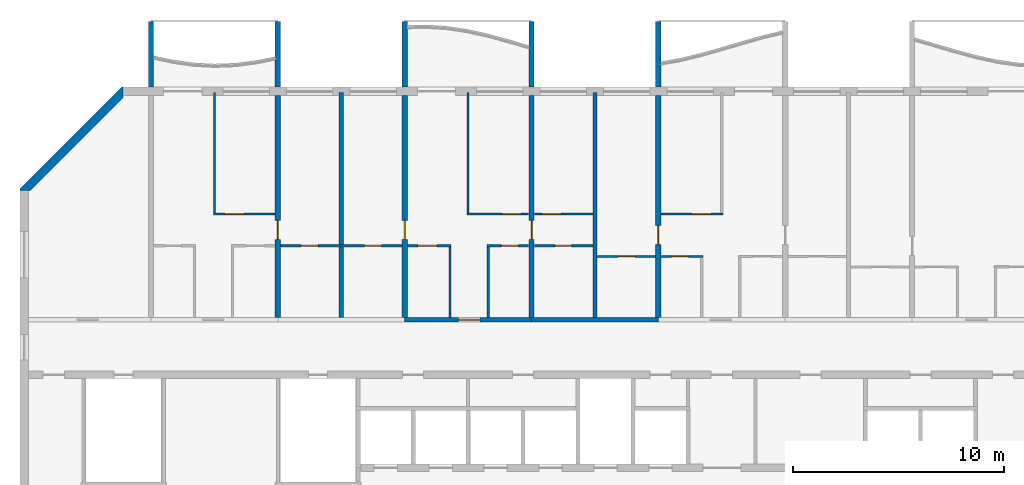
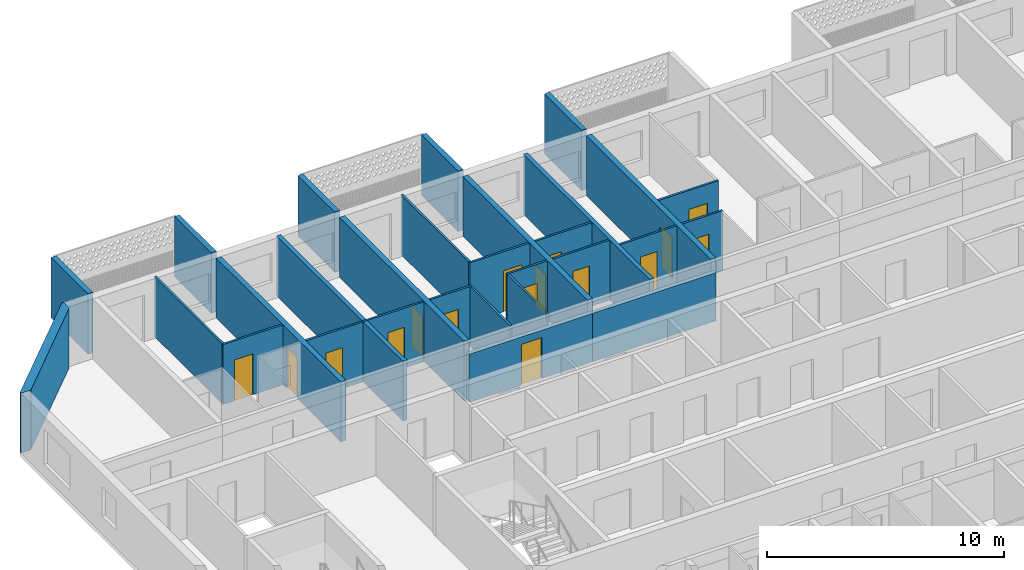
# One storey, part 8 of 26: 28 walls, 16 doors, 16 openings.
"""IFC4 building model written with IfcOpenShell, lengths in metres."""

import ifcopenshell
import ifcopenshell.guid

model = None  # the IFC model being written
_history = None  # IfcOwnerHistory: only IFC2X3 demands one
_inside = {}  # id of a spatial element -> (the spatial element, [elements in it])
_under = {}  # id of a project, library or spatial element -> (it, [spatial elements below it])
_declared = {}  # id of a project -> (the project, [libraries it declares])
_typed = {}  # id of a type object -> (the type object, [elements of that type])
_made_of = {}  # id of a material, layer set ... -> (it, [elements and type objects made of it])


def new_model(schema):
    """Start an empty IFC model of exactly this schema.

    Asked for "IFC4X3", IfcOpenShell would pick the latest addendum, in which some entities
    have other attributes; the version numbers below select the first issue.
    IFC2X3 requires an IfcOwnerHistory on every rooted entity: one is made here for all.
    """
    global model, _history
    if schema == "IFC4X3":
        model = ifcopenshell.file(schema_version=(4, 3, 0, 0))
    else:
        model = ifcopenshell.file(schema=schema)
    _inside.clear()
    _under.clear()
    _declared.clear()
    _typed.clear()
    _made_of.clear()
    _history = None
    if model.schema == "IFC2X3":
        org = make("IfcOrganization", Name="unknown")
        user = make(
            "IfcPersonAndOrganization",
            ThePerson=make("IfcPerson", FamilyName="unknown"),
            TheOrganization=org,
        )
        app = make(
            "IfcApplication",
            ApplicationDeveloper=org,
            Version="unknown",
            ApplicationFullName="unknown",
            ApplicationIdentifier="unknown",
        )
        _history = make(
            "IfcOwnerHistory",
            OwningUser=user,
            OwningApplication=app,
            ChangeAction="ADDED",
            CreationDate=0,
        )
    return model


def make(cls, **values):
    """One entity of the class cls with the attributes given. An attribute that is None is left unset."""
    return model.create_entity(
        cls, **{name: value for name, value in values.items() if value is not None}
    )


def rooted(cls, **values):
    """An entity with a GlobalId (a new one), such as an element, a storey or a relation."""
    return make(cls, GlobalId=ifcopenshell.guid.new(), OwnerHistory=_history, **values)


def si_unit(unit_type, name, prefix=None):
    """IfcSIUnit, for example si_unit("LENGTHUNIT", "METRE", prefix="MILLI")."""
    return make("IfcSIUnit", UnitType=unit_type, Prefix=prefix, Name=name)


def assignment(units):
    """IfcUnitAssignment: the units of a project."""
    return None if units is None else make("IfcUnitAssignment", Units=units)


def point(xyz):
    """IfcCartesianPoint."""
    return None if xyz is None else make("IfcCartesianPoint", Coordinates=xyz)


def direction(xyz):
    """IfcDirection."""
    return None if xyz is None else make("IfcDirection", DirectionRatios=xyz)


def frame(location, z_axis=None, x_axis=None):
    """IfcAxis2Placement3D, a coordinate frame: its origin and axes. An axis left out is left unset."""
    return make(
        "IfcAxis2Placement3D",
        Location=point(location),
        Axis=direction(z_axis),
        RefDirection=direction(x_axis),
    )


def frame_2d(location, x_axis=None):
    """IfcAxis2Placement2D, a coordinate frame in the plane: its origin and x axis."""
    return make(
        "IfcAxis2Placement2D", Location=point(location), RefDirection=direction(x_axis)
    )


def origin():
    """The frame at (0, 0, 0) with its axes left unset."""
    return frame((0.0, 0.0, 0.0))


def place(relative_to, where):
    """IfcLocalPlacement: puts the frame where relative to a parent placement (None: the world)."""
    return make(
        "IfcLocalPlacement", PlacementRelTo=relative_to, RelativePlacement=where
    )


def context(
    kind, dimensions, precision=None, world=None, true_north=None, identifier=None
):
    """IfcGeometricRepresentationContext, for example the 3D "Model" context."""
    return make(
        "IfcGeometricRepresentationContext",
        ContextIdentifier=identifier,
        ContextType=kind,
        CoordinateSpaceDimension=dimensions,
        Precision=precision,
        WorldCoordinateSystem=world,
        TrueNorth=true_north,
    )


def subcontext(parent, identifier, kind, view, scale=None):
    """IfcGeometricRepresentationSubContext, for example "Body" below "Model"."""
    return make(
        "IfcGeometricRepresentationSubContext",
        ContextIdentifier=identifier,
        ContextType=kind,
        ParentContext=parent,
        TargetScale=scale,
        TargetView=view,
    )


def project(units=None, contexts=None):
    """IfcProject with its units and contexts."""
    return rooted(
        "IfcProject",
        Name="project",
        RepresentationContexts=contexts,
        UnitsInContext=assignment(units),
    )


def spatial(cls, under=None, at=None, **own):
    """A site, building, storey or space (cls), placed at a placement, below another one or the project."""
    s = rooted(cls, ObjectPlacement=at, **own)
    if under is not None:
        _under.setdefault(under.id(), (under, []))[1].append(s)
    return s


def polyline(points):
    """IfcPolyline through the points."""
    return make("IfcPolyline", Points=[point(p) for p in points])


def profile(cls, at=None, kind="AREA", **sizes):
    """A parametric profile (cls). Its sizes go by their IFC names, for example OverallWidth=200.0."""
    return make(cls, ProfileType=kind, Position=at, **sizes)


def rectangle(**sizes):
    """IfcRectangleProfileDef."""
    return profile("IfcRectangleProfileDef", **sizes)


def outline(outer, holes=None, kind="AREA"):
    """IfcArbitraryClosedProfileDef: a profile drawn as a closed curve; with holes, ...WithVoids."""
    if holes is None:
        return make("IfcArbitraryClosedProfileDef", ProfileType=kind, OuterCurve=outer)
    return make(
        "IfcArbitraryProfileDefWithVoids",
        ProfileType=kind,
        OuterCurve=outer,
        InnerCurves=holes,
    )


def extrude(swept, where, along, depth):
    """IfcExtrudedAreaSolid: the profile swept, set in the frame where, extruded along a direction by depth."""
    return make(
        "IfcExtrudedAreaSolid",
        SweptArea=swept,
        Position=where,
        ExtrudedDirection=direction(along),
        Depth=depth,
    )


def shape(context_of_items, identifier, shape_type, items):
    """IfcShapeRepresentation: the items that make up one representation, for example the "Body"."""
    return make(
        "IfcShapeRepresentation",
        ContextOfItems=context_of_items,
        RepresentationIdentifier=identifier,
        RepresentationType=shape_type,
        Items=items,
    )


def source(mapping_origin, context_of_items, identifier, shape_type, items):
    """IfcRepresentationMap: a shape defined once, which mapped items show again and again."""
    return make(
        "IfcRepresentationMap",
        MappingOrigin=mapping_origin,
        MappedRepresentation=shape(context_of_items, identifier, shape_type, items),
    )


def transform(
    local_origin,
    x_axis=None,
    y_axis=None,
    z_axis=None,
    scale=None,
    scale2=None,
    scale3=None,
    uniform=True,
):
    """IfcCartesianTransformationOperator3D, or its non-uniform kind. x_axis, y_axis, z_axis: its Axis1, 2, 3."""
    if uniform:
        return make(
            "IfcCartesianTransformationOperator3D",
            Axis1=direction(x_axis),
            Axis2=direction(y_axis),
            LocalOrigin=point(local_origin),
            Scale=scale,
            Axis3=direction(z_axis),
        )
    return make(
        "IfcCartesianTransformationOperator3DnonUniform",
        Axis1=direction(x_axis),
        Axis2=direction(y_axis),
        LocalOrigin=point(local_origin),
        Scale=scale,
        Axis3=direction(z_axis),
        Scale2=scale2,
        Scale3=scale3,
    )


def mapped(mapping_source, mapping_target):
    """IfcMappedItem: shows the shape of a source again, moved by a transform."""
    return make(
        "IfcMappedItem", MappingSource=mapping_source, MappingTarget=mapping_target
    )


def material(Name=None, Category=None):
    """IfcMaterial."""
    return make("IfcMaterial", Name=Name, Category=Category)


def layer(
    of_material, thickness, ventilated=None, Name=None, Category=None, Priority=None
):
    """IfcMaterialLayer: one layer of a wall or slab, of a material (None: an air gap)."""
    return make(
        "IfcMaterialLayer",
        Material=of_material,
        LayerThickness=thickness,
        IsVentilated=ventilated,
        Name=Name,
        Category=Category,
        Priority=Priority,
    )


def layer_set(layers, Name=None):
    """IfcMaterialLayerSet."""
    return make("IfcMaterialLayerSet", MaterialLayers=layers, LayerSetName=Name)


def made_of(thing, what):
    """Note that an element or type object is made of a material, layer set ...; save() writes the relation."""
    if what is not None:
        _made_of.setdefault(what.id(), (what, []))[1].append(thing)
    return thing


def type_object(cls, material=None, **own):
    """A type object (cls), such as IfcWallType, which elements share."""
    return made_of(rooted(cls, **own), material)


def element(
    cls,
    number,
    at=None,
    inside=None,
    cuts=None,
    type_object=None,
    material=None,
    context=None,
    identifier="Body",
    shape_type=None,
    held_by="IfcProductDefinitionShape",
    body=None,
    shapes=None,
    **own,
):
    """One element of the class cls, such as IfcWall. Its Tag is "e" and its number.

    at: its placement. inside: the storey or other place that contains it. cuts: it is an
    opening in that element (IfcRelVoidsElement). A single representation is given by context,
    identifier, shape_type and body (its items); several are given by shapes. held_by: the class
    of the entity that holds the representations. save() writes the other relations.
    """
    e = rooted(cls, Tag="e%d" % number, ObjectPlacement=at, **own)
    if body is not None:
        shapes = [shape(context, identifier, shape_type, body)]
    if shapes is not None:
        e.Representation = make(held_by, Representations=shapes)
    if inside is not None:
        _inside.setdefault(inside.id(), (inside, []))[1].append(e)
    if cuts is not None:
        rooted(
            "IfcRelVoidsElement", RelatingBuildingElement=cuts, RelatedOpeningElement=e
        )
    if type_object is not None:
        _typed.setdefault(type_object.id(), (type_object, []))[1].append(e)
    return made_of(e, material)


def fill(opening, filler):
    """IfcRelFillsElement: the door or window that sits in an opening."""
    return rooted(
        "IfcRelFillsElement",
        RelatingOpeningElement=opening,
        RelatedBuildingElement=filler,
    )


def aggregate(whole, parts):
    """IfcRelAggregates: a whole, such as a stair, and the parts it consists of."""
    return rooted("IfcRelAggregates", RelatingObject=whole, RelatedObjects=parts)


def save(model, path):
    """Write the relations noted so far, then the file.

    IfcRelAggregates (storeys below a building ...), IfcRelContainedInSpatialStructure (elements
    in a storey), IfcRelDefinesByType, IfcRelAssociatesMaterial and IfcRelDeclares: one each for
    every whole, place, type object, material and project.
    """
    for whole, parts in _under.values():
        aggregate(whole, parts)
    for where, things in _inside.values():
        rooted(
            "IfcRelContainedInSpatialStructure",
            RelatedElements=things,
            RelatingStructure=where,
        )
    for kind, things in _typed.values():
        rooted("IfcRelDefinesByType", RelatedObjects=things, RelatingType=kind)
    for what, things in _made_of.values():
        rooted("IfcRelAssociatesMaterial", RelatedObjects=things, RelatingMaterial=what)
    for by, libraries in _declared.values():
        rooted("IfcRelDeclares", RelatingContext=by, RelatedDefinitions=libraries)
    model.write(path)


model = new_model("IFC4")

# Units and contexts
model_context = context("Model", 3, precision=1e-05, world=origin(), true_north=direction((0.0, 1.0)))
body_context = subcontext(model_context, "Body", "Model", "MODEL_VIEW")
ifc_project = project(units=[si_unit("LENGTHUNIT", "METRE"), si_unit("AREAUNIT", "SQUARE_METRE"), si_unit("VOLUMEUNIT", "CUBIC_METRE"), si_unit("PLANEANGLEUNIT", "RADIAN"), si_unit("MASSUNIT", "GRAM", prefix="KILO")], contexts=[model_context])

# Site, building, storey
site_placement = place(None, origin())
site = spatial("IfcSite", under=ifc_project, at=site_placement, CompositionType="ELEMENT")
building_placement = place(site_placement, origin())
building = spatial("IfcBuilding", under=site, at=building_placement, Name="Poui Terraces", CompositionType="ELEMENT")
storey_placement = place(building_placement, frame((0.0, 0.0, 244.5)))
storey = spatial("IfcBuildingStorey", under=building, at=storey_placement, Name="L68", CompositionType="ELEMENT", Elevation=244.5)

# Wall, opening, door
ifc_material_1 = material(Name="Concrete 50 MPa", Category="concrete")
ifc_layer_1 = layer(ifc_material_1, 0.199951171875)
ifc_layer_set_1 = layer_set([ifc_layer_1], Name="Concrete 50 MPa")
wall_type_1 = type_object("IfcWallType", Name="CORRIDOR WALL 200 50MPa", PredefinedType="SHEAR", material=ifc_layer_set_1)
wall_1_placement = place(storey_placement, frame((36.0, 30.39990234375, 0.0), z_axis=(0.0, 0.0, 1.0), x_axis=(1.0, 0.0, 0.0)))
wall_1 = element("IfcWall", 1, at=wall_1_placement, inside=storey, type_object=wall_type_1, Name="CORRIDOR WALL LINE E BAY 4", PredefinedType="SHEAR", context=body_context, shape_type="SweptSolid", body=[
    extrude(rectangle(XDim=6.0, YDim=0.199951171875, at=frame_2d((3.0, 0.0))), origin(), (0.0, 0.0, 1.0), 2.47998046875),
])
opening_1_placement = place(wall_1_placement, frame((2.550048828125, 0.0, 0.0)))
opening_1 = element("IfcOpeningElement", 2, at=opening_1_placement, cuts=wall_1, Name="Opening FD30S", PredefinedType="OPENING", context=body_context, shape_type="SweptSolid", body=[
    extrude(rectangle(XDim=1.0, YDim=2.10009765625, at=frame_2d((0.5, 1.050048828125))), frame((0.0, 0.10986328125, 0.0), z_axis=(0.0, -1.0, 0.0), x_axis=(1.0, 0.0, 0.0)), (0.0, 0.0, 1.0), 0.219970703125),
])
ifc_material_2 = material(Name="Steel fire door", Category="steel")
door_type_1 = type_object("IfcDoorType", Name="FLAT ENTRANCE DOOR 1000 X 2100", OperationType="NOTDEFINED", PredefinedType="DOOR", material=ifc_material_2)
door_1_placement = place(opening_1_placement, origin())
door_1 = element("IfcDoor", 3, at=door_1_placement, inside=storey, type_object=door_type_1, Name="FLAT ENTRANCE DOOR 037", OperationType="SINGLE_SWING_RIGHT", OverallHeight=2.10009765625, OverallWidth=1.0, PredefinedType="DOOR", context=body_context, shape_type="SweptSolid", body=[
    extrude(rectangle(XDim=1.0, YDim=2.10009765625, at=frame_2d((0.5, 1.050048828125))), frame((0.0, 0.02490234375, 0.0), z_axis=(0.0, -1.0, 0.0), x_axis=(1.0, 0.0, 0.0)), (0.0, 0.0, 1.0), 0.050048828125),
])
fill(opening_1, door_1)

# Wall
wall_2_placement = place(storey_placement, frame((42.0, 30.39990234375, 0.0), z_axis=(0.0, 0.0, 1.0), x_axis=(1.0, 0.0, 0.0)))
element("IfcWall", 4, at=wall_2_placement, inside=storey, type_object=wall_type_1, Name="CORRIDOR WALL LINE E BAY 5", PredefinedType="SHEAR", context=body_context, shape_type="SweptSolid", body=[
    extrude(rectangle(XDim=6.0, YDim=0.199951171875, at=frame_2d((3.0, 0.0))), origin(), (0.0, 0.0, 1.0), 2.47998046875),
])

# Wall, opening, door
ifc_layer_2 = layer(ifc_material_1, 0.25)
ifc_layer_set_2 = layer_set([ifc_layer_2], Name="Concrete 50 MPa")
wall_type_2 = type_object("IfcWallType", Name="CROSS WALL 250 50MPa", PredefinedType="SHEAR", material=ifc_layer_set_2)
wall_3_placement = place(storey_placement, frame((30.0, 30.5, 0.0), z_axis=(0.0, 0.0, 1.0), x_axis=(0.0, 1.0, 0.0)))
wall_3 = element("IfcWall", 5, at=wall_3_placement, inside=storey, type_object=wall_type_2, Name="CROSS WALL LINE 6 NORTH", PredefinedType="SHEAR", context=body_context, shape_type="SweptSolid", body=[
    extrude(rectangle(XDim=10.5, YDim=0.25, at=frame_2d((5.25, 0.0))), origin(), (0.0, 0.0, 1.0), 3.080078125),
])
opening_2_placement = place(wall_3_placement, frame((3.699951171875, 0.0, 0.0)))
opening_2 = element("IfcOpeningElement", 6, at=opening_2_placement, cuts=wall_3, Name="Opening D90", PredefinedType="OPENING", context=body_context, shape_type="SweptSolid", body=[
    extrude(rectangle(XDim=0.89990234375, YDim=2.10009765625, at=frame_2d((0.449951171875, 1.050048828125))), frame((0.0, 0.135009765625, 0.0), z_axis=(0.0, -1.0, 0.0), x_axis=(1.0, 0.0, 0.0)), (0.0, 0.0, 1.0), 0.27001953125),
])
ifc_material_3 = material(Name="Solid core timber door", Category="wood")
door_type_2 = type_object("IfcDoorType", Name="INTERNAL DOOR 900 X 2100", OperationType="NOTDEFINED", PredefinedType="DOOR", material=ifc_material_3)
door_2_placement = place(opening_2_placement, frame((0.89990234375, 0.0, 0.0), z_axis=(0.0, 0.0, 1.0), x_axis=(-1.0, 0.0, 0.0)))
door_2 = element("IfcDoor", 7, at=door_2_placement, inside=storey, type_object=door_type_2, Name="INTERNAL DOOR 031", OperationType="SINGLE_SWING_RIGHT", OverallHeight=2.10009765625, OverallWidth=0.89990234375, PredefinedType="DOOR", context=body_context, shape_type="SweptSolid", body=[
    extrude(rectangle(XDim=0.89990234375, YDim=2.10009765625, at=frame_2d((0.449951171875, 1.050048828125))), frame((0.0, 0.02490234375, 0.0), z_axis=(0.0, -1.0, 0.0), x_axis=(1.0, 0.0, 0.0)), (0.0, 0.0, 1.0), 0.050048828125),
])
fill(opening_2, door_2)

wall_4_placement = place(storey_placement, frame((36.0, 30.5, 0.0), z_axis=(0.0, 0.0, 1.0), x_axis=(0.0, 1.0, 0.0)))
wall_4 = element("IfcWall", 8, at=wall_4_placement, inside=storey, type_object=wall_type_2, Name="CROSS WALL LINE 7 NORTH", PredefinedType="SHEAR", context=body_context, shape_type="SweptSolid", body=[
    extrude(rectangle(XDim=10.5, YDim=0.25, at=frame_2d((5.25, 0.0))), origin(), (0.0, 0.0, 1.0), 3.080078125),
])
opening_3_placement = place(wall_4_placement, frame((3.699951171875, 0.0, 0.0)))
opening_3 = element("IfcOpeningElement", 9, at=opening_3_placement, cuts=wall_4, Name="Opening D90", PredefinedType="OPENING", context=body_context, shape_type="SweptSolid", body=[
    extrude(rectangle(XDim=0.89990234375, YDim=2.10009765625, at=frame_2d((0.449951171875, 1.050048828125))), frame((0.0, 0.135009765625, 0.0), z_axis=(0.0, -1.0, 0.0), x_axis=(1.0, 0.0, 0.0)), (0.0, 0.0, 1.0), 0.27001953125),
])
door_3_placement = place(opening_3_placement, origin())
door_3 = element("IfcDoor", 10, at=door_3_placement, inside=storey, type_object=door_type_2, Name="INTERNAL DOOR 035", OperationType="SINGLE_SWING_LEFT", OverallHeight=2.10009765625, OverallWidth=0.89990234375, PredefinedType="DOOR", context=body_context, shape_type="SweptSolid", body=[
    extrude(rectangle(XDim=0.89990234375, YDim=2.10009765625, at=frame_2d((0.449951171875, 1.050048828125))), frame((0.0, 0.02490234375, 0.0), z_axis=(0.0, -1.0, 0.0), x_axis=(1.0, 0.0, 0.0)), (0.0, 0.0, 1.0), 0.050048828125),
])
fill(opening_3, door_3)

wall_5_placement = place(storey_placement, frame((42.0, 30.5, 0.0), z_axis=(0.0, 0.0, 1.0), x_axis=(0.0, 1.0, 0.0)))
wall_5 = element("IfcWall", 11, at=wall_5_placement, inside=storey, type_object=wall_type_2, Name="CROSS WALL LINE 8 NORTH", PredefinedType="SHEAR", context=body_context, shape_type="SweptSolid", body=[
    extrude(rectangle(XDim=10.5, YDim=0.25, at=frame_2d((5.25, 0.0))), origin(), (0.0, 0.0, 1.0), 3.080078125),
])
opening_4_placement = place(wall_5_placement, frame((3.699951171875, 0.0, 0.0)))
opening_4 = element("IfcOpeningElement", 12, at=opening_4_placement, cuts=wall_5, Name="Opening D90", PredefinedType="OPENING", context=body_context, shape_type="SweptSolid", body=[
    extrude(rectangle(XDim=0.89990234375, YDim=2.10009765625, at=frame_2d((0.449951171875, 1.050048828125))), frame((0.0, 0.135009765625, 0.0), z_axis=(0.0, -1.0, 0.0), x_axis=(1.0, 0.0, 0.0)), (0.0, 0.0, 1.0), 0.27001953125),
])
door_4_placement = place(opening_4_placement, origin())
door_4 = element("IfcDoor", 13, at=door_4_placement, inside=storey, type_object=door_type_2, Name="INTERNAL DOOR 040", OperationType="SINGLE_SWING_LEFT", OverallHeight=2.10009765625, OverallWidth=0.89990234375, PredefinedType="DOOR", context=body_context, shape_type="SweptSolid", body=[
    extrude(rectangle(XDim=0.89990234375, YDim=2.10009765625, at=frame_2d((0.449951171875, 1.050048828125))), frame((0.0, 0.02490234375, 0.0), z_axis=(0.0, -1.0, 0.0), x_axis=(1.0, 0.0, 0.0)), (0.0, 0.0, 1.0), 0.050048828125),
])
fill(opening_4, door_4)

wall_6_placement = place(storey_placement, frame((48.0, 30.5, 0.0), z_axis=(0.0, 0.0, 1.0), x_axis=(0.0, 1.0, 0.0)))
wall_6 = element("IfcWall", 14, at=wall_6_placement, inside=storey, type_object=wall_type_2, Name="CROSS WALL LINE 9 NORTH", PredefinedType="SHEAR", context=body_context, shape_type="SweptSolid", body=[
    extrude(rectangle(XDim=10.5, YDim=0.25, at=frame_2d((5.25, 0.0))), origin(), (0.0, 0.0, 1.0), 3.080078125),
])
opening_5_placement = place(wall_6_placement, frame((3.449951171875, 0.0, 0.0)))
opening_5 = element("IfcOpeningElement", 15, at=opening_5_placement, cuts=wall_6, Name="Opening D90", PredefinedType="OPENING", context=body_context, shape_type="SweptSolid", body=[
    extrude(rectangle(XDim=0.89990234375, YDim=2.10009765625, at=frame_2d((0.449951171875, 1.050048828125))), frame((0.0, 0.135009765625, 0.0), z_axis=(0.0, -1.0, 0.0), x_axis=(1.0, 0.0, 0.0)), (0.0, 0.0, 1.0), 0.27001953125),
])
door_5_placement = place(opening_5_placement, origin())
door_5 = element("IfcDoor", 16, at=door_5_placement, inside=storey, type_object=door_type_2, Name="INTERNAL DOOR 043", OperationType="SINGLE_SWING_LEFT", OverallHeight=2.10009765625, OverallWidth=0.89990234375, PredefinedType="DOOR", context=body_context, shape_type="SweptSolid", body=[
    extrude(rectangle(XDim=0.89990234375, YDim=2.10009765625, at=frame_2d((0.449951171875, 1.050048828125))), frame((0.0, 0.02490234375, 0.0), z_axis=(0.0, -1.0, 0.0), x_axis=(1.0, 0.0, 0.0)), (0.0, 0.0, 1.0), 0.050048828125),
])
fill(opening_5, door_5)

ifc_material_4 = material(Name="Plasterboard partition")
ifc_layer_3 = layer(ifc_material_4, 0.10009765625)
ifc_layer_set_3 = layer_set([ifc_layer_3], Name="Plasterboard partition")
wall_type_3 = type_object("IfcWallType", Name="FLAT PARTITION 100", PredefinedType="PARTITIONING", material=ifc_layer_set_3)
wall_7_placement = place(storey_placement, frame((45.10009765625, 33.39990234375, 0.0), z_axis=(0.0, 0.0, 1.0), x_axis=(1.0, 0.0, 0.0)))
wall_7 = element("IfcWall", 17, at=wall_7_placement, inside=storey, type_object=wall_type_3, Name="FLAT PARTITION 100", PredefinedType="PARTITIONING", context=body_context, shape_type="SweptSolid", body=[
    extrude(rectangle(XDim=2.764892578125, YDim=0.10009765625, at=frame_2d((1.38232421875, 0.0))), origin(), (0.0, 0.0, 1.0), 3.080078125),
])
opening_6_placement = place(wall_7_placement, frame((1.0, 0.0, 0.0)))
opening_6 = element("IfcOpeningElement", 18, at=opening_6_placement, cuts=wall_7, Name="Opening D80", PredefinedType="OPENING", context=body_context, shape_type="SweptSolid", body=[
    extrude(rectangle(XDim=0.800048828125, YDim=2.10009765625, at=frame_2d((0.39990234375, 1.050048828125))), frame((0.0, 0.06005859375, 0.0), z_axis=(0.0, -1.0, 0.0), x_axis=(1.0, 0.0, 0.0)), (0.0, 0.0, 1.0), 0.1201171875),
])
door_type_3 = type_object("IfcDoorType", Name="BATHROOM, LAUNDRY AND STORE DOOR 800 X 2100", OperationType="NOTDEFINED", PredefinedType="DOOR", material=ifc_material_3)
door_6_placement = place(opening_6_placement, frame((0.800048828125, 0.0, 0.0), z_axis=(0.0, 0.0, 1.0), x_axis=(-1.0, 0.0, 0.0)))
door_6 = element("IfcDoor", 19, at=door_6_placement, inside=storey, type_object=door_type_3, Name="BATHROOM, LAUNDRY AND STORE DOOR 041", OperationType="SINGLE_SWING_LEFT", OverallHeight=2.10009765625, OverallWidth=0.800048828125, PredefinedType="DOOR", context=body_context, shape_type="SweptSolid", body=[
    extrude(rectangle(XDim=0.800048828125, YDim=2.10009765625, at=frame_2d((0.39990234375, 1.050048828125))), frame((0.0, 0.02490234375, 0.0), z_axis=(0.0, -1.0, 0.0), x_axis=(1.0, 0.0, 0.0)), (0.0, 0.0, 1.0), 0.050048828125),
])
fill(opening_6, door_6)

wall_8_placement = place(storey_placement, frame((48.135009765625, 33.39990234375, 0.0), z_axis=(0.0, 0.0, 1.0), x_axis=(1.0, 0.0, 0.0)))
wall_8 = element("IfcWall", 20, at=wall_8_placement, inside=storey, type_object=wall_type_3, Name="FLAT PARTITION 100", PredefinedType="PARTITIONING", context=body_context, shape_type="SweptSolid", body=[
    extrude(rectangle(XDim=1.965087890625, YDim=0.10009765625, at=frame_2d((0.982421875, 0.0))), origin(), (0.0, 0.0, 1.0), 3.080078125),
])
opening_7_placement = place(wall_8_placement, frame((0.489990234375, 0.0, 0.0)))
opening_7 = element("IfcOpeningElement", 21, at=opening_7_placement, cuts=wall_8, Name="Opening D80", PredefinedType="OPENING", context=body_context, shape_type="SweptSolid", body=[
    extrude(rectangle(XDim=0.800048828125, YDim=2.10009765625, at=frame_2d((0.39990234375, 1.050048828125))), frame((0.0, 0.06005859375, 0.0), z_axis=(0.0, -1.0, 0.0), x_axis=(1.0, 0.0, 0.0)), (0.0, 0.0, 1.0), 0.1201171875),
])
door_7_placement = place(opening_7_placement, frame((0.800048828125, 0.0, 0.0), z_axis=(0.0, 0.0, 1.0), x_axis=(-1.0, 0.0, 0.0)))
door_7 = element("IfcDoor", 22, at=door_7_placement, inside=storey, type_object=door_type_3, Name="BATHROOM, LAUNDRY AND STORE DOOR 044", OperationType="SINGLE_SWING_LEFT", OverallHeight=2.10009765625, OverallWidth=0.800048828125, PredefinedType="DOOR", context=body_context, shape_type="SweptSolid", body=[
    extrude(rectangle(XDim=0.800048828125, YDim=2.10009765625, at=frame_2d((0.39990234375, 1.050048828125))), frame((0.0, 0.02490234375, 0.0), z_axis=(0.0, -1.0, 0.0), x_axis=(1.0, 0.0, 0.0)), (0.0, 0.0, 1.0), 0.050048828125),
])
fill(opening_7, door_7)

# Wall, openings, doors
wall_9_placement = place(storey_placement, frame((30.135009765625, 33.89990234375, 0.0), z_axis=(0.0, 0.0, 1.0), x_axis=(1.0, 0.0, 0.0)))
wall_9 = element("IfcWall", 23, at=wall_9_placement, inside=storey, type_object=wall_type_3, Name="FLAT PARTITION 100", PredefinedType="PARTITIONING", context=body_context, shape_type="SweptSolid", body=[
    extrude(rectangle(XDim=5.72998046875, YDim=0.10009765625, at=frame_2d((2.864990234375, 0.0))), origin(), (0.0, 0.0, 1.0), 3.080078125),
])
opening_8_placement = place(wall_9_placement, frame((0.965087890625, 0.0, 0.0)))
opening_8 = element("IfcOpeningElement", 24, at=opening_8_placement, cuts=wall_9, Name="Opening D80", PredefinedType="OPENING", context=body_context, shape_type="SweptSolid", body=[
    extrude(rectangle(XDim=0.800048828125, YDim=2.10009765625, at=frame_2d((0.39990234375, 1.050048828125))), frame((0.0, 0.06005859375, 0.0), z_axis=(0.0, -1.0, 0.0), x_axis=(1.0, 0.0, 0.0)), (0.0, 0.0, 1.0), 0.1201171875),
])
opening_9_placement = place(wall_9_placement, frame((3.965087890625, 0.0, 0.0)))
opening_9 = element("IfcOpeningElement", 25, at=opening_9_placement, cuts=wall_9, Name="Opening D80", PredefinedType="OPENING", context=body_context, shape_type="SweptSolid", body=[
    extrude(rectangle(XDim=0.800048828125, YDim=2.10009765625, at=frame_2d((0.39990234375, 1.050048828125))), frame((0.0, 0.06005859375, 0.0), z_axis=(0.0, -1.0, 0.0), x_axis=(1.0, 0.0, 0.0)), (0.0, 0.0, 1.0), 0.1201171875),
])
door_8_placement = place(opening_8_placement, frame((0.800048828125, 0.0, 0.0), z_axis=(0.0, 0.0, 1.0), x_axis=(-1.0, 0.0, 0.0)))
door_8 = element("IfcDoor", 26, at=door_8_placement, inside=storey, type_object=door_type_3, Name="BATHROOM, LAUNDRY AND STORE DOOR 026", OperationType="SINGLE_SWING_LEFT", OverallHeight=2.10009765625, OverallWidth=0.800048828125, PredefinedType="DOOR", context=body_context, shape_type="SweptSolid", body=[
    extrude(rectangle(XDim=0.800048828125, YDim=2.10009765625, at=frame_2d((0.39990234375, 1.050048828125))), frame((0.0, 0.02490234375, 0.0), z_axis=(0.0, -1.0, 0.0), x_axis=(1.0, 0.0, 0.0)), (0.0, 0.0, 1.0), 0.050048828125),
])
fill(opening_8, door_8)
door_9_placement = place(opening_9_placement, frame((0.800048828125, 0.0, 0.0), z_axis=(0.0, 0.0, 1.0), x_axis=(-1.0, 0.0, 0.0)))
door_9 = element("IfcDoor", 27, at=door_9_placement, inside=storey, type_object=door_type_3, Name="BATHROOM, LAUNDRY AND STORE DOOR 032", OperationType="SINGLE_SWING_RIGHT", OverallHeight=2.10009765625, OverallWidth=0.800048828125, PredefinedType="DOOR", context=body_context, shape_type="SweptSolid", body=[
    extrude(rectangle(XDim=0.800048828125, YDim=2.10009765625, at=frame_2d((0.39990234375, 1.050048828125))), frame((0.0, 0.02490234375, 0.0), z_axis=(0.0, -1.0, 0.0), x_axis=(1.0, 0.0, 0.0)), (0.0, 0.0, 1.0), 0.050048828125),
])
fill(opening_9, door_9)

# Wall, opening, door
wall_10_placement = place(storey_placement, frame((36.135009765625, 33.89990234375, 0.0), z_axis=(0.0, 0.0, 1.0), x_axis=(1.0, 0.0, 0.0)))
wall_10 = element("IfcWall", 28, at=wall_10_placement, inside=storey, type_object=wall_type_3, Name="FLAT PARTITION 100", PredefinedType="PARTITIONING", context=body_context, shape_type="SweptSolid", body=[
    extrude(rectangle(XDim=2.06494140625, YDim=0.10009765625, at=frame_2d((1.032470703125, 0.0))), origin(), (0.0, 0.0, 1.0), 3.080078125),
])
opening_10_placement = place(wall_10_placement, frame((0.489990234375, 0.0, 0.0)))
opening_10 = element("IfcOpeningElement", 29, at=opening_10_placement, cuts=wall_10, Name="Opening D90", PredefinedType="OPENING", context=body_context, shape_type="SweptSolid", body=[
    extrude(rectangle(XDim=0.89990234375, YDim=2.10009765625, at=frame_2d((0.449951171875, 1.050048828125))), frame((0.0, 0.06005859375, 0.0), z_axis=(0.0, -1.0, 0.0), x_axis=(1.0, 0.0, 0.0)), (0.0, 0.0, 1.0), 0.1201171875),
])
door_10_placement = place(opening_10_placement, frame((0.89990234375, 0.0, 0.0), z_axis=(0.0, 0.0, 1.0), x_axis=(-1.0, 0.0, 0.0)))
door_10 = element("IfcDoor", 30, at=door_10_placement, inside=storey, type_object=door_type_2, Name="INTERNAL DOOR 036", OperationType="SINGLE_SWING_RIGHT", OverallHeight=2.10009765625, OverallWidth=0.89990234375, PredefinedType="DOOR", context=body_context, shape_type="SweptSolid", body=[
    extrude(rectangle(XDim=0.89990234375, YDim=2.10009765625, at=frame_2d((0.449951171875, 1.050048828125))), frame((0.0, 0.02490234375, 0.0), z_axis=(0.0, -1.0, 0.0), x_axis=(1.0, 0.0, 0.0)), (0.0, 0.0, 1.0), 0.050048828125),
])
fill(opening_10, door_10)

wall_11_placement = place(storey_placement, frame((39.89990234375, 33.89990234375, 0.0), z_axis=(0.0, 0.0, 1.0), x_axis=(1.0, 0.0, 0.0)))
wall_11 = element("IfcWall", 31, at=wall_11_placement, inside=storey, type_object=wall_type_3, Name="FLAT PARTITION 100", PredefinedType="PARTITIONING", context=body_context, shape_type="SweptSolid", body=[
    extrude(rectangle(XDim=1.965087890625, YDim=0.10009765625, at=frame_2d((0.982421875, 0.0))), origin(), (0.0, 0.0, 1.0), 3.080078125),
])
opening_11_placement = place(wall_11_placement, frame((0.675048828125, 0.0, 0.0)))
opening_11 = element("IfcOpeningElement", 32, at=opening_11_placement, cuts=wall_11, Name="Opening D80", PredefinedType="OPENING", context=body_context, shape_type="SweptSolid", body=[
    extrude(rectangle(XDim=0.800048828125, YDim=2.10009765625, at=frame_2d((0.39990234375, 1.050048828125))), frame((0.0, 0.06005859375, 0.0), z_axis=(0.0, -1.0, 0.0), x_axis=(1.0, 0.0, 0.0)), (0.0, 0.0, 1.0), 0.1201171875),
])
door_11_placement = place(opening_11_placement, frame((0.800048828125, 0.0, 0.0), z_axis=(0.0, 0.0, 1.0), x_axis=(-1.0, 0.0, 0.0)))
door_11 = element("IfcDoor", 33, at=door_11_placement, inside=storey, type_object=door_type_3, Name="BATHROOM, LAUNDRY AND STORE DOOR 038", OperationType="SINGLE_SWING_LEFT", OverallHeight=2.10009765625, OverallWidth=0.800048828125, PredefinedType="DOOR", context=body_context, shape_type="SweptSolid", body=[
    extrude(rectangle(XDim=0.800048828125, YDim=2.10009765625, at=frame_2d((0.39990234375, 1.050048828125))), frame((0.0, 0.02490234375, 0.0), z_axis=(0.0, -1.0, 0.0), x_axis=(1.0, 0.0, 0.0)), (0.0, 0.0, 1.0), 0.050048828125),
])
fill(opening_11, door_11)

wall_12_placement = place(storey_placement, frame((42.135009765625, 33.89990234375, 0.0), z_axis=(0.0, 0.0, 1.0), x_axis=(1.0, 0.0, 0.0)))
wall_12 = element("IfcWall", 34, at=wall_12_placement, inside=storey, type_object=wall_type_3, Name="FLAT PARTITION 100", PredefinedType="PARTITIONING", context=body_context, shape_type="SweptSolid", body=[
    extrude(rectangle(XDim=2.764892578125, YDim=0.10009765625, at=frame_2d((1.38232421875, 0.0))), origin(), (0.0, 0.0, 1.0), 3.080078125),
])
opening_12_placement = place(wall_12_placement, frame((0.965087890625, 0.0, 0.0)))
opening_12 = element("IfcOpeningElement", 35, at=opening_12_placement, cuts=wall_12, Name="Opening D80", PredefinedType="OPENING", context=body_context, shape_type="SweptSolid", body=[
    extrude(rectangle(XDim=0.800048828125, YDim=2.10009765625, at=frame_2d((0.39990234375, 1.050048828125))), frame((0.0, 0.06005859375, 0.0), z_axis=(0.0, -1.0, 0.0), x_axis=(1.0, 0.0, 0.0)), (0.0, 0.0, 1.0), 0.1201171875),
])
door_12_placement = place(opening_12_placement, frame((0.800048828125, 0.0, 0.0), z_axis=(0.0, 0.0, 1.0), x_axis=(-1.0, 0.0, 0.0)))
door_12 = element("IfcDoor", 36, at=door_12_placement, inside=storey, type_object=door_type_3, Name="BATHROOM, LAUNDRY AND STORE DOOR 034", OperationType="SINGLE_SWING_LEFT", OverallHeight=2.10009765625, OverallWidth=0.800048828125, PredefinedType="DOOR", context=body_context, shape_type="SweptSolid", body=[
    extrude(rectangle(XDim=0.800048828125, YDim=2.10009765625, at=frame_2d((0.39990234375, 1.050048828125))), frame((0.0, 0.02490234375, 0.0), z_axis=(0.0, -1.0, 0.0), x_axis=(1.0, 0.0, 0.0)), (0.0, 0.0, 1.0), 0.050048828125),
])
fill(opening_12, door_12)

wall_13_placement = place(storey_placement, frame((26.949951171875, 35.39990234375, 0.0), z_axis=(0.0, 0.0, 1.0), x_axis=(1.0, 0.0, 0.0)))
wall_13 = element("IfcWall", 37, at=wall_13_placement, inside=storey, type_object=wall_type_3, Name="FLAT PARTITION 100", PredefinedType="PARTITIONING", context=body_context, shape_type="SweptSolid", body=[
    extrude(rectangle(XDim=2.9150390625, YDim=0.10009765625, at=frame_2d((1.45751953125, 0.0))), origin(), (0.0, 0.0, 1.0), 3.080078125),
])
opening_13_placement = place(wall_13_placement, frame((0.550048828125, 0.0, 0.0)))
opening_13 = element("IfcOpeningElement", 38, at=opening_13_placement, cuts=wall_13, Name="Opening D90", PredefinedType="OPENING", context=body_context, shape_type="SweptSolid", body=[
    extrude(rectangle(XDim=0.89990234375, YDim=2.10009765625, at=frame_2d((0.449951171875, 1.050048828125))), frame((0.0, 0.06005859375, 0.0), z_axis=(0.0, -1.0, 0.0), x_axis=(1.0, 0.0, 0.0)), (0.0, 0.0, 1.0), 0.1201171875),
])
door_13_placement = place(opening_13_placement, frame((0.89990234375, 0.0, 0.0), z_axis=(0.0, 0.0, 1.0), x_axis=(-1.0, 0.0, 0.0)))
door_13 = element("IfcDoor", 39, at=door_13_placement, inside=storey, type_object=door_type_2, Name="INTERNAL DOOR 029", OperationType="SINGLE_SWING_LEFT", OverallHeight=2.10009765625, OverallWidth=0.89990234375, PredefinedType="DOOR", context=body_context, shape_type="SweptSolid", body=[
    extrude(rectangle(XDim=0.89990234375, YDim=2.10009765625, at=frame_2d((0.449951171875, 1.050048828125))), frame((0.0, 0.02490234375, 0.0), z_axis=(0.0, -1.0, 0.0), x_axis=(1.0, 0.0, 0.0)), (0.0, 0.0, 1.0), 0.050048828125),
])
fill(opening_13, door_13)

wall_14_placement = place(storey_placement, frame((38.949951171875, 35.39990234375, 0.0), z_axis=(0.0, 0.0, 1.0), x_axis=(1.0, 0.0, 0.0)))
wall_14 = element("IfcWall", 40, at=wall_14_placement, inside=storey, type_object=wall_type_3, Name="FLAT PARTITION 100", PredefinedType="PARTITIONING", context=body_context, shape_type="SweptSolid", body=[
    extrude(rectangle(XDim=2.9150390625, YDim=0.10009765625, at=frame_2d((1.45751953125, 0.0))), origin(), (0.0, 0.0, 1.0), 3.080078125),
])
opening_14_placement = place(wall_14_placement, frame((1.64990234375, 0.0, 0.0)))
opening_14 = element("IfcOpeningElement", 41, at=opening_14_placement, cuts=wall_14, Name="Opening D90", PredefinedType="OPENING", context=body_context, shape_type="SweptSolid", body=[
    extrude(rectangle(XDim=0.89990234375, YDim=2.10009765625, at=frame_2d((0.449951171875, 1.050048828125))), frame((0.0, 0.06005859375, 0.0), z_axis=(0.0, -1.0, 0.0), x_axis=(1.0, 0.0, 0.0)), (0.0, 0.0, 1.0), 0.1201171875),
])
door_14_placement = place(opening_14_placement, frame((0.89990234375, 0.0, 0.0), z_axis=(0.0, 0.0, 1.0), x_axis=(-1.0, 0.0, 0.0)))
door_14 = element("IfcDoor", 42, at=door_14_placement, inside=storey, type_object=door_type_2, Name="INTERNAL DOOR 039", OperationType="SINGLE_SWING_RIGHT", OverallHeight=2.10009765625, OverallWidth=0.89990234375, PredefinedType="DOOR", context=body_context, shape_type="SweptSolid", body=[
    extrude(rectangle(XDim=0.89990234375, YDim=2.10009765625, at=frame_2d((0.449951171875, 1.050048828125))), frame((0.0, 0.02490234375, 0.0), z_axis=(0.0, -1.0, 0.0), x_axis=(1.0, 0.0, 0.0)), (0.0, 0.0, 1.0), 0.050048828125),
])
fill(opening_14, door_14)

wall_15_placement = place(storey_placement, frame((42.135009765625, 35.39990234375, 0.0), z_axis=(0.0, 0.0, 1.0), x_axis=(1.0, 0.0, 0.0)))
wall_15 = element("IfcWall", 43, at=wall_15_placement, inside=storey, type_object=wall_type_3, Name="FLAT PARTITION 100", PredefinedType="PARTITIONING", context=body_context, shape_type="SweptSolid", body=[
    extrude(rectangle(XDim=2.764892578125, YDim=0.10009765625, at=frame_2d((1.38232421875, 0.0))), origin(), (0.0, 0.0, 1.0), 3.080078125),
])
opening_15_placement = place(wall_15_placement, frame((0.364990234375, 0.0, 0.0)))
opening_15 = element("IfcOpeningElement", 44, at=opening_15_placement, cuts=wall_15, Name="Opening D90", PredefinedType="OPENING", context=body_context, shape_type="SweptSolid", body=[
    extrude(rectangle(XDim=0.89990234375, YDim=2.10009765625, at=frame_2d((0.449951171875, 1.050048828125))), frame((0.0, 0.06005859375, 0.0), z_axis=(0.0, -1.0, 0.0), x_axis=(1.0, 0.0, 0.0)), (0.0, 0.0, 1.0), 0.1201171875),
])
door_15_placement = place(opening_15_placement, origin())
door_15 = element("IfcDoor", 45, at=door_15_placement, inside=storey, type_object=door_type_2, Name="INTERNAL DOOR 033", OperationType="SINGLE_SWING_LEFT", OverallHeight=2.10009765625, OverallWidth=0.89990234375, PredefinedType="DOOR", context=body_context, shape_type="SweptSolid", body=[
    extrude(rectangle(XDim=0.89990234375, YDim=2.10009765625, at=frame_2d((0.449951171875, 1.050048828125))), frame((0.0, 0.02490234375, 0.0), z_axis=(0.0, -1.0, 0.0), x_axis=(1.0, 0.0, 0.0)), (0.0, 0.0, 1.0), 0.050048828125),
])
fill(opening_15, door_15)

wall_16_placement = place(storey_placement, frame((48.135009765625, 35.39990234375, 0.0), z_axis=(0.0, 0.0, 1.0), x_axis=(1.0, 0.0, 0.0)))
wall_16 = element("IfcWall", 46, at=wall_16_placement, inside=storey, type_object=wall_type_3, Name="FLAT PARTITION 100", PredefinedType="PARTITIONING", context=body_context, shape_type="SweptSolid", body=[
    extrude(rectangle(XDim=2.9150390625, YDim=0.10009765625, at=frame_2d((1.45751953125, 0.0))), origin(), (0.0, 0.0, 1.0), 3.080078125),
])
opening_16_placement = place(wall_16_placement, frame((1.465087890625, 0.0, 0.0)))
opening_16 = element("IfcOpeningElement", 47, at=opening_16_placement, cuts=wall_16, Name="Opening D90", PredefinedType="OPENING", context=body_context, shape_type="SweptSolid", body=[
    extrude(rectangle(XDim=0.89990234375, YDim=2.10009765625, at=frame_2d((0.449951171875, 1.050048828125))), frame((0.0, 0.06005859375, 0.0), z_axis=(0.0, -1.0, 0.0), x_axis=(1.0, 0.0, 0.0)), (0.0, 0.0, 1.0), 0.1201171875),
])
door_16_placement = place(opening_16_placement, frame((0.89990234375, 0.0, 0.0), z_axis=(0.0, 0.0, 1.0), x_axis=(-1.0, 0.0, 0.0)))
door_16 = element("IfcDoor", 48, at=door_16_placement, inside=storey, type_object=door_type_2, Name="INTERNAL DOOR 045", OperationType="SINGLE_SWING_RIGHT", OverallHeight=2.10009765625, OverallWidth=0.89990234375, PredefinedType="DOOR", context=body_context, shape_type="SweptSolid", body=[
    extrude(rectangle(XDim=0.89990234375, YDim=2.10009765625, at=frame_2d((0.449951171875, 1.050048828125))), frame((0.0, 0.02490234375, 0.0), z_axis=(0.0, -1.0, 0.0), x_axis=(1.0, 0.0, 0.0)), (0.0, 0.0, 1.0), 0.050048828125),
])
fill(opening_16, door_16)

# Walls
wall_17_placement = place(storey_placement, frame((27.0, 35.449951171875, 0.0), z_axis=(0.0, 0.0, 1.0), x_axis=(0.0, 1.0, 0.0)))
element("IfcWall", 49, at=wall_17_placement, inside=storey, type_object=wall_type_3, Name="FLAT PARTITION 100", PredefinedType="PARTITIONING", context=body_context, shape_type="SweptSolid", body=[
    extrude(rectangle(XDim=5.68994140625, YDim=0.10009765625, at=frame_2d((2.844970703125, 0.0))), origin(), (0.0, 0.0, 1.0), 3.080078125),
])
wall_18_placement = place(storey_placement, frame((38.14990234375, 30.510009765625, 0.0), z_axis=(0.0, 0.0, 1.0), x_axis=(0.0, 1.0, 0.0)))
element("IfcWall", 50, at=wall_18_placement, inside=storey, type_object=wall_type_3, Name="FLAT PARTITION 100", PredefinedType="PARTITIONING", context=body_context, shape_type="SweptSolid", body=[
    extrude(rectangle(XDim=3.340087890625, YDim=0.10009765625, at=frame_2d((1.669921875, 0.0))), origin(), (0.0, 0.0, 1.0), 3.080078125),
])
wall_19_placement = place(storey_placement, frame((39.0, 35.449951171875, 0.0), z_axis=(0.0, 0.0, 1.0), x_axis=(0.0, 1.0, 0.0)))
element("IfcWall", 51, at=wall_19_placement, inside=storey, type_object=wall_type_3, Name="FLAT PARTITION 100", PredefinedType="PARTITIONING", context=body_context, shape_type="SweptSolid", body=[
    extrude(rectangle(XDim=5.68994140625, YDim=0.10009765625, at=frame_2d((2.844970703125, 0.0))), origin(), (0.0, 0.0, 1.0), 3.080078125),
])
wall_20_placement = place(storey_placement, frame((39.949951171875, 30.510009765625, 0.0), z_axis=(0.0, 0.0, 1.0), x_axis=(0.0, 1.0, 0.0)))
element("IfcWall", 52, at=wall_20_placement, inside=storey, type_object=wall_type_3, Name="FLAT PARTITION 100", PredefinedType="PARTITIONING", context=body_context, shape_type="SweptSolid", body=[
    extrude(rectangle(XDim=3.340087890625, YDim=0.10009765625, at=frame_2d((1.669921875, 0.0))), origin(), (0.0, 0.0, 1.0), 3.080078125),
])
ifc_material_5 = material(Name="Fire-rated masonry wall", Category="masonry")
ifc_layer_4 = layer(ifc_material_5, 0.199951171875)
ifc_layer_set_4 = layer_set([ifc_layer_4], Name="Fire-rated masonry wall")
wall_type_4 = type_object("IfcWallType", Name="FLAT PARTY WALL 200", PredefinedType="PARTITIONING", material=ifc_layer_set_4)
for number, where, z_axis, x_axis, name in (
    (53, (33.0, 30.510009765625, 0.0), (0.0, 0.0, 1.0), (0.0, 1.0, 0.0), "FLAT PARTY WALL 200"),
    (54, (45.0, 30.510009765625, 0.0), (0.0, 0.0, 1.0), (0.0, 1.0, 0.0), "FLAT PARTY WALL 200"),
):
    element("IfcWall", number, at=place(storey_placement, frame(where, z_axis=z_axis, x_axis=x_axis)), inside=storey, type_object=wall_type_4, Name=name, PredefinedType="PARTITIONING", context=body_context, shape_type="SweptSolid", body=[
        extrude(rectangle(XDim=10.6298828125, YDim=0.199951171875, at=frame_2d((5.31494140625, 0.0))), origin(), (0.0, 0.0, 1.0), 3.080078125),
    ])
ifc_material_6 = material(Name="Precast concrete 40 MPa", Category="concrete")
ifc_layer_5 = layer(ifc_material_6, 0.39990234375)
ifc_layer_set_5 = layer_set([ifc_layer_5], Name="Precast concrete 40 MPa")
wall_type_5 = type_object("IfcWallType", Name="TERRACOTTA CLAD CHAMFER WALL 400", PredefinedType="STANDARD", material=ifc_layer_set_5)
wall_21_placement = place(storey_placement, origin())
element("IfcWall", 55, at=wall_21_placement, inside=storey, type_object=wall_type_5, Name="CHAMFER WALL CH05", PredefinedType="STANDARD", context=body_context, shape_type="SweptSolid", body=[
    extrude(outline(polyline([(22.682861328125, 41.39990234375), (22.60009765625, 41.39990234375), (17.800048828125, 36.60009765625), (17.800048828125, 36.51708984375), (18.28271484375, 36.51708984375), (22.682861328125, 40.917236328125), (22.682861328125, 41.39990234375)])), origin(), (0.0, 0.0, 1.0), 3.080078125),
])
ifc_layer_6 = layer(ifc_material_6, 0.25)
ifc_layer_set_6 = layer_set([ifc_layer_6], Name="Precast concrete 40 MPa")
wall_type_6 = type_object("IfcWallType", Name="BALCONY FIN 250", PredefinedType="STANDARD", material=ifc_layer_set_6)
shared_shape = source(origin(), body_context, "Body", "SweptSolid", [
    extrude(outline(polyline([(0.0, 0.0), (0.25, 0.0), (0.25, 3.10009765625), (0.0, 3.10009765625), (0.0, 0.0)])), origin(), (0.0, 0.0, 1.0), 3.10009765625),
])
for number, where, name in (
    (56, (23.875, 41.39990234375, 0.0), "BALCONY FIN"),
    (57, (29.875, 41.39990234375, 0.0), "BALCONY FIN"),
    (58, (35.875, 41.39990234375, 0.0), "BALCONY FIN"),
    (59, (41.875, 41.39990234375, 0.0), "BALCONY FIN"),
    (60, (47.875, 41.39990234375, 0.0), "BALCONY FIN"),
):
    element("IfcWall", number, at=place(storey_placement, frame(where)), inside=storey, type_object=wall_type_6, Name=name, PredefinedType="STANDARD", context=body_context, shape_type="MappedRepresentation", body=[
        mapped(shared_shape, transform((0.0, 0.0, 0.0))),
    ])

save(model, "model.ifc")
